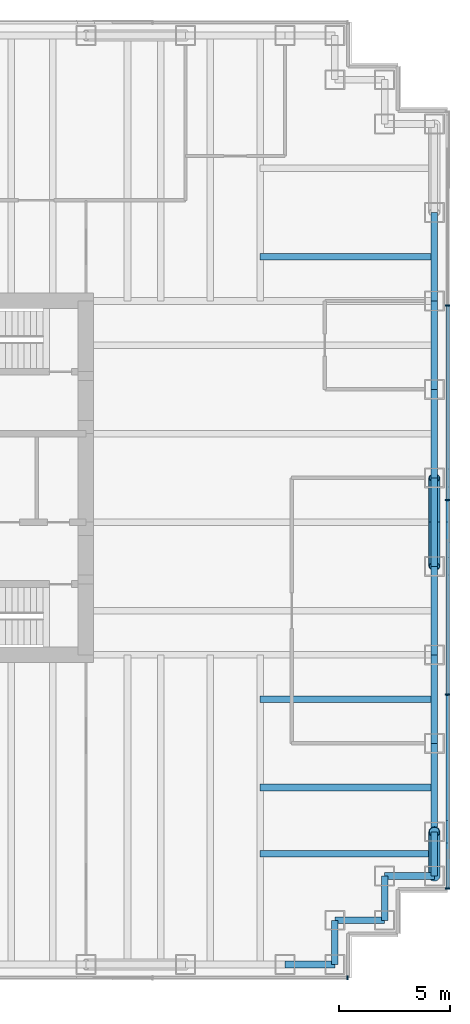
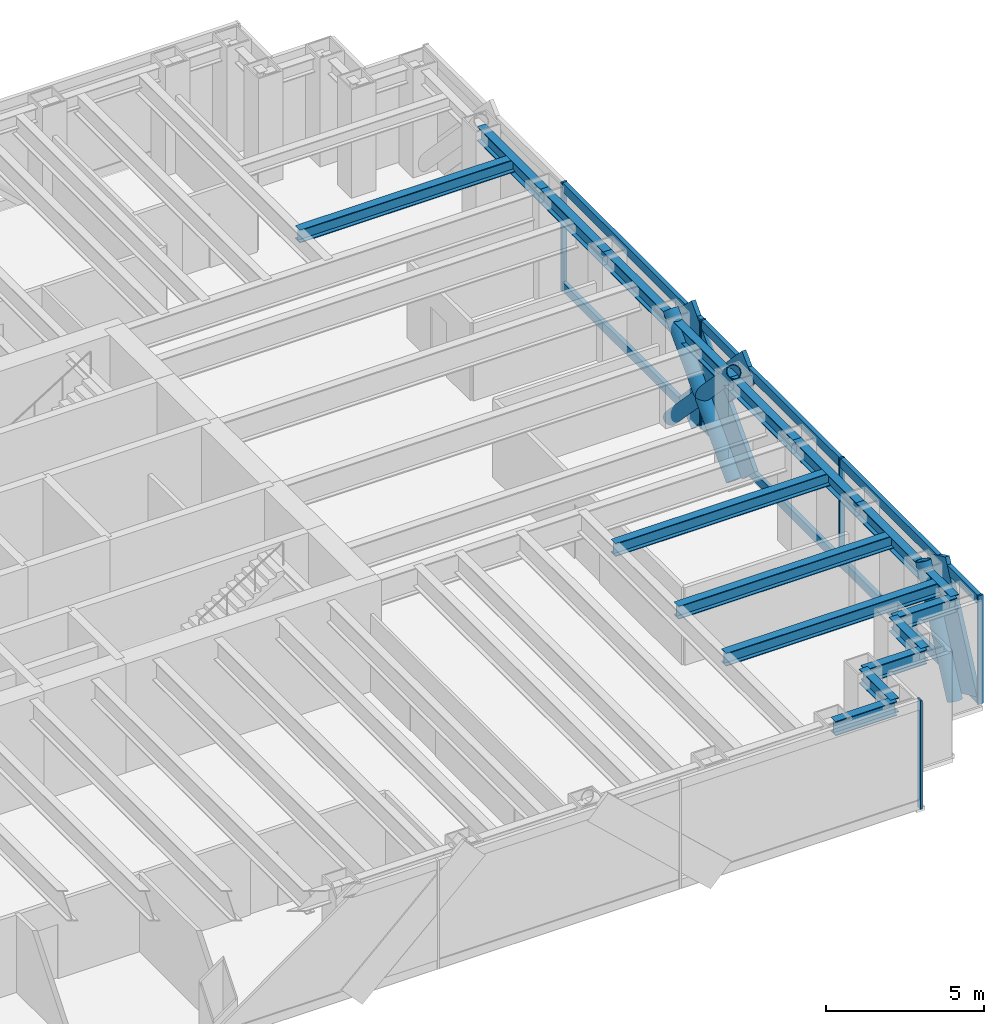
# One storey, part 8 of 15: 17 beams, 17 members, 2 elements without a shape of their own.
"""IFC4 building model written with IfcOpenShell, lengths in metres."""

from ifc_helpers import new_model, si_unit, direction, frame, origin, origin_2d, place, context, subcontext, project, spatial, rectangle, hollow_circle, i_section, extrude, material, material_profile, profile_set, type_object, element, aggregate, save


model = new_model("IFC4")

# Units and contexts
model_context = context("Model", 3, precision=1e-05, world=origin(), true_north=direction((0.0, 1.0)))
body_context = subcontext(model_context, "Body", "Model", "MODEL_VIEW")
ifc_project = project(units=[si_unit("LENGTHUNIT", "METRE"), si_unit("AREAUNIT", "SQUARE_METRE"), si_unit("VOLUMEUNIT", "CUBIC_METRE"), si_unit("PLANEANGLEUNIT", "RADIAN"), si_unit("MASSUNIT", "GRAM", prefix="KILO")], contexts=[model_context])

# Site, building, storey
site_placement = place(None, origin())
site = spatial("IfcSite", under=ifc_project, at=site_placement, CompositionType="ELEMENT")
building_placement = place(site_placement, origin())
building = spatial("IfcBuilding", under=site, at=building_placement, Name="Rheinbord Bourse Tower", CompositionType="ELEMENT")
storey_placement = place(building_placement, frame((0.0, 0.0, 313.10009765625)))
storey = spatial("IfcBuildingStorey", under=building, at=storey_placement, Name="L71", CompositionType="ELEMENT", Elevation=313.10009765625)

# Curtain wall, members
ifc_material_1 = material(Name="Dark glass and black aluminium", Category="aluminium")
curtain_wall_type = type_object("IfcCurtainWallType", Name="CW3 DARK GLASS CURTAIN WALL", PredefinedType="USERDEFINED", material=ifc_material_1)
curtain_wall_1_placement = place(storey_placement, origin())
curtain_wall_1 = element("IfcCurtainWall", 1, at=curtain_wall_1_placement, inside=storey, type_object=curtain_wall_type, Name="Curtain wall CW3 E L71", ObjectType="UNITISED CURTAIN WALL", PredefinedType="USERDEFINED")
ifc_material_2 = material(Name="Black anodised aluminium", Category="aluminium")
ifc_material_profile_1 = material_profile(ifc_material_2, rectangle(XDim=0.14990234375, YDim=1.10791015625, at=origin_2d()), Name="CW3 DIAGONAL MULLION 1108x150")
ifc_profile_set_1 = profile_set([ifc_material_profile_1], Name="Black anodised aluminium")
member_type_1 = type_object("IfcMemberType", Name="CW3 BLACK DIAGONAL MULLION", PredefinedType="USERDEFINED", material=ifc_profile_set_1)
member_1_placement = place(storey_placement, frame((70.35009765625, 6.0, 0.0), z_axis=(0.0, 0.429937654825, 0.902858578607), x_axis=(-1.0, 0.0, 0.0)))
member_1 = element("IfcMember", 2, at=member_1_placement, type_object=member_type_1, Name="CW3 diagonal mullion a", ObjectType="DIAGONAL MULLION", PredefinedType="USERDEFINED", context=body_context, shape_type="SweptSolid", body=[
    extrude(rectangle(XDim=0.14990234375, YDim=1.10791015625, at=origin_2d()), origin(), (0.0, 0.0, 1.0), 4.65185546875),
])
member_2_placement = place(storey_placement, frame((70.35009765625, 20.0, 0.0), z_axis=(0.0, 0.689659376744, 0.724133926887), x_axis=(-1.0, 0.0, 0.0)))
member_2 = element("IfcMember", 3, at=member_2_placement, type_object=member_type_1, Name="CW3 diagonal mullion c", ObjectType="DIAGONAL MULLION", PredefinedType="USERDEFINED", context=body_context, shape_type="SweptSolid", body=[
    extrude(rectangle(XDim=0.14990234375, YDim=1.10791015625, at=origin_2d()), origin(), (0.0, 0.0, 1.0), 5.800048828125),
])
member_3_placement = place(storey_placement, frame((70.35009765625, 24.0, 0.0), z_axis=(0.0, -0.689659376744, 0.724133926887), x_axis=(1.0, 0.0, 0.0)))
member_3 = element("IfcMember", 4, at=member_3_placement, type_object=member_type_1, Name="CW3 diagonal mullion d", ObjectType="DIAGONAL MULLION", PredefinedType="USERDEFINED", context=body_context, shape_type="SweptSolid", body=[
    extrude(rectangle(XDim=0.14990234375, YDim=1.10791015625, at=origin_2d()), origin(), (0.0, 0.0, 1.0), 5.800048828125),
])

# Curtain wall, member
curtain_wall_2_placement = place(storey_placement, origin())
curtain_wall_2 = element("IfcCurtainWall", 5, at=curtain_wall_2_placement, inside=storey, type_object=curtain_wall_type, Name="Curtain wall CW3 S L71", ObjectType="UNITISED CURTAIN WALL", PredefinedType="USERDEFINED")
ifc_material_3 = material(Name="Black anodised aluminium", Category="aluminium")
ifc_material_profile_2 = material_profile(ifc_material_3, rectangle(XDim=0.199951171875, YDim=0.06494140625, at=origin_2d()), Name="CW3 MULLION 65x200")
ifc_profile_set_2 = profile_set([ifc_material_profile_2], Name="Black anodised aluminium")
member_type_2 = type_object("IfcMemberType", Name="CW3 BLACK MULLION", PredefinedType="MULLION", material=ifc_profile_set_2)
member_4_placement = place(storey_placement, frame((65.8173828125, 1.39990234375, 0.0), z_axis=(0.0, 0.0, 1.0), x_axis=(0.0, 1.0, 0.0)))
member_4 = element("IfcMember", 6, at=member_4_placement, type_object=member_type_2, Name="CW3 mullion 8", PredefinedType="MULLION", context=body_context, shape_type="SweptSolid", body=[
    extrude(rectangle(XDim=0.199951171875, YDim=0.06494140625, at=origin_2d()), origin(), (0.0, 0.0, 1.0), 4.199951171875),
])
aggregate(curtain_wall_2, [member_4])

# Member
member_5_placement = place(storey_placement, frame((70.35009765625, 5.4326171875, 0.0), z_axis=(0.0, 0.0, 1.0), x_axis=(-1.0, 0.0, 0.0)))
member_5 = element("IfcMember", 7, at=member_5_placement, type_object=member_type_2, Name="CW3 mullion 1", PredefinedType="MULLION", context=body_context, shape_type="SweptSolid", body=[
    extrude(rectangle(XDim=0.199951171875, YDim=0.06494140625, at=origin_2d()), origin(), (0.0, 0.0, 1.0), 4.199951171875),
])

member_6_placement = place(storey_placement, frame((70.35009765625, 14.199951171875, 0.0), z_axis=(0.0, 0.0, 1.0), x_axis=(-1.0, 0.0, 0.0)))
member_6 = element("IfcMember", 8, at=member_6_placement, type_object=member_type_2, Name="CW3 mullion 2", PredefinedType="MULLION", context=body_context, shape_type="SweptSolid", body=[
    extrude(rectangle(XDim=0.199951171875, YDim=0.06494140625, at=origin_2d()), origin(), (0.0, 0.0, 1.0), 4.199951171875),
])

member_7_placement = place(storey_placement, frame((70.35009765625, 23.0, 0.0), z_axis=(0.0, 0.0, 1.0), x_axis=(-1.0, 0.0, 0.0)))
member_7 = element("IfcMember", 9, at=member_7_placement, type_object=member_type_2, Name="CW3 mullion 3", PredefinedType="MULLION", context=body_context, shape_type="SweptSolid", body=[
    extrude(rectangle(XDim=0.199951171875, YDim=0.06494140625, at=origin_2d()), origin(), (0.0, 0.0, 1.0), 4.199951171875),
])

member_8_placement = place(storey_placement, frame((70.35009765625, 31.800048828125, 0.0), z_axis=(0.0, 0.0, 1.0), x_axis=(-1.0, 0.0, 0.0)))
member_8 = element("IfcMember", 10, at=member_8_placement, type_object=member_type_2, Name="CW3 mullion 4", PredefinedType="MULLION", context=body_context, shape_type="SweptSolid", body=[
    extrude(rectangle(XDim=0.199951171875, YDim=0.06494140625, at=origin_2d()), origin(), (0.0, 0.0, 1.0), 4.199951171875),
])

ifc_material_4 = material(Name="Black anodised aluminium", Category="aluminium")
ifc_material_profile_3 = material_profile(ifc_material_4, rectangle(XDim=0.14990234375, YDim=0.35009765625, at=origin_2d()), Name="CW3 TRANSOM 350x150")
ifc_profile_set_3 = profile_set([ifc_material_profile_3], Name="Black anodised aluminium")
member_type_3 = type_object("IfcMemberType", Name="CW3 BLACK TRANSOM", PredefinedType="USERDEFINED", material=ifc_profile_set_3)
member_9_placement = place(storey_placement, frame((70.35009765625, 5.465087890625, 0.1748046875), z_axis=(0.0, 1.0, 0.0), x_axis=(-1.0, 0.0, 0.0)))
member_9 = element("IfcMember", 11, at=member_9_placement, type_object=member_type_3, Name="CW3 transom 1.1", ObjectType="TRANSOM", PredefinedType="USERDEFINED", context=body_context, shape_type="SweptSolid", body=[
    extrude(rectangle(XDim=0.14990234375, YDim=0.35009765625, at=origin_2d()), origin(), (0.0, 0.0, 1.0), 8.702392578125),
])

member_10_placement = place(storey_placement, frame((70.35009765625, 5.465087890625, 4.02490234375), z_axis=(0.0, 1.0, 0.0), x_axis=(-1.0, 0.0, 0.0)))
member_10 = element("IfcMember", 12, at=member_10_placement, type_object=member_type_3, Name="CW3 transom 1.2", ObjectType="TRANSOM", PredefinedType="USERDEFINED", context=body_context, shape_type="SweptSolid", body=[
    extrude(rectangle(XDim=0.14990234375, YDim=0.35009765625, at=origin_2d()), origin(), (0.0, 0.0, 1.0), 8.702392578125),
])

member_11_placement = place(storey_placement, frame((70.35009765625, 14.232421875, 0.1748046875), z_axis=(0.0, 1.0, 0.0), x_axis=(-1.0, 0.0, 0.0)))
member_11 = element("IfcMember", 13, at=member_11_placement, type_object=member_type_3, Name="CW3 transom 2.1", ObjectType="TRANSOM", PredefinedType="USERDEFINED", context=body_context, shape_type="SweptSolid", body=[
    extrude(rectangle(XDim=0.14990234375, YDim=0.35009765625, at=origin_2d()), origin(), (0.0, 0.0, 1.0), 8.735107421875),
])

member_12_placement = place(storey_placement, frame((70.35009765625, 14.232421875, 4.02490234375), z_axis=(0.0, 1.0, 0.0), x_axis=(-1.0, 0.0, 0.0)))
member_12 = element("IfcMember", 14, at=member_12_placement, type_object=member_type_3, Name="CW3 transom 2.2", ObjectType="TRANSOM", PredefinedType="USERDEFINED", context=body_context, shape_type="SweptSolid", body=[
    extrude(rectangle(XDim=0.14990234375, YDim=0.35009765625, at=origin_2d()), origin(), (0.0, 0.0, 1.0), 8.735107421875),
])

member_13_placement = place(storey_placement, frame((70.35009765625, 23.032470703125, 0.1748046875), z_axis=(0.0, 1.0, 0.0), x_axis=(-1.0, 0.0, 0.0)))
member_13 = element("IfcMember", 15, at=member_13_placement, type_object=member_type_3, Name="CW3 transom 3.1", ObjectType="TRANSOM", PredefinedType="USERDEFINED", context=body_context, shape_type="SweptSolid", body=[
    extrude(rectangle(XDim=0.14990234375, YDim=0.35009765625, at=origin_2d()), origin(), (0.0, 0.0, 1.0), 8.735107421875),
])

member_14_placement = place(storey_placement, frame((70.35009765625, 23.032470703125, 4.02490234375), z_axis=(0.0, 1.0, 0.0), x_axis=(-1.0, 0.0, 0.0)))
member_14 = element("IfcMember", 16, at=member_14_placement, type_object=member_type_3, Name="CW3 transom 3.2", ObjectType="TRANSOM", PredefinedType="USERDEFINED", context=body_context, shape_type="SweptSolid", body=[
    extrude(rectangle(XDim=0.14990234375, YDim=0.35009765625, at=origin_2d()), origin(), (0.0, 0.0, 1.0), 8.735107421875),
])

aggregate(curtain_wall_1, [member_5, member_6, member_7, member_8, member_9, member_10, member_11, member_12, member_13, member_14, member_1, member_2, member_3])

# Members
ifc_material_5 = material(Name="Steel S460", Category="steel")
ifc_material_profile_4 = material_profile(ifc_material_5, hollow_circle(Radius=0.25390625, WallThickness=0.030029296875, at=origin_2d()), Name="CHS 508x30")
ifc_profile_set_4 = profile_set([ifc_material_profile_4], Name="Steel S460")
member_type_4 = type_object("IfcMemberType", Name="MEGABRACE CHS 508x30", PredefinedType="BRACE", material=ifc_profile_set_4)
member_15_placement = place(storey_placement, frame((69.75, 6.0, 0.0), z_axis=(0.0, 0.429937654825, 0.902858578607), x_axis=(-1.0, 0.0, 0.0)))
element("IfcMember", 17, at=member_15_placement, inside=storey, type_object=member_type_4, Name="Megabrace E face line a L71", PredefinedType="BRACE", context=body_context, shape_type="SweptSolid", body=[
    extrude(hollow_circle(Radius=0.25390625, WallThickness=0.030029296875, at=origin_2d()), origin(), (0.0, 0.0, 1.0), 4.65185546875),
])
for number, where, z_axis, x_axis, name in (
    (18, (69.75, 20.0, 0.0), (0.0, 0.689659376744, 0.724133926887), (-1.0, 0.0, 0.0), "Megabrace E face line c L71"),
    (19, (69.75, 24.0, 0.0), (0.0, -0.689659376744, 0.724133926887), (1.0, 0.0, 0.0), "Megabrace E face line d L71"),
):
    element("IfcMember", number, at=place(storey_placement, frame(where, z_axis=z_axis, x_axis=x_axis)), inside=storey, type_object=member_type_4, Name=name, PredefinedType="BRACE", context=body_context, shape_type="SweptSolid", body=[
        extrude(hollow_circle(Radius=0.25390625, WallThickness=0.030029296875, at=origin_2d()), origin(), (0.0, 0.0, 1.0), 5.800048828125),
    ])

# Beams
ifc_material_6 = material(Name="Steel S460", Category="steel")
ifc_material_profile_5 = material_profile(ifc_material_6, i_section(OverallWidth=0.300048828125, OverallDepth=0.550048828125, WebThickness=0.014892578125, FlangeThickness=0.029052734375, at=origin_2d()), Name="HEB 550")
ifc_profile_set_5 = profile_set([ifc_material_profile_5], Name="Steel S460")
beam_type_1 = type_object("IfcBeamType", Name="SPANDREL HEB 550", PredefinedType="SPANDREL", material=ifc_profile_set_5)
beam_1_placement = place(storey_placement, frame((63.0, 2.0, 3.764892578125), z_axis=(1.0, 0.0, 0.0), x_axis=(0.0, 1.0, 0.0)))
element("IfcBeam", 20, at=beam_1_placement, inside=storey, type_object=beam_type_1, Name="Spandrel S-63-SE-E under L72", PredefinedType="SPANDREL", context=body_context, shape_type="SweptSolid", body=[
    extrude(i_section(OverallWidth=0.300048828125, OverallDepth=0.550048828125, WebThickness=0.014892578125, FlangeThickness=0.029052734375, at=origin_2d()), origin(), (0.0, 0.0, 1.0), 2.25),
])
beam_2_placement = place(storey_placement, frame((65.25, 2.0, 3.764892578125), z_axis=(0.0, 1.0, 0.0), x_axis=(-1.0, 0.0, 0.0)))
element("IfcBeam", 21, at=beam_2_placement, inside=storey, type_object=beam_type_1, Name="Spandrel SE-E-SE-D under L72", PredefinedType="SPANDREL", context=body_context, shape_type="SweptSolid", body=[
    extrude(i_section(OverallWidth=0.300048828125, OverallDepth=0.550048828125, WebThickness=0.014892578125, FlangeThickness=0.029052734375, at=origin_2d()), origin(), (0.0, 0.0, 1.0), 2.0),
])
beam_3_placement = place(storey_placement, frame((65.25, 4.0, 3.764892578125), z_axis=(1.0, 0.0, 0.0), x_axis=(0.0, 1.0, 0.0)))
element("IfcBeam", 22, at=beam_3_placement, inside=storey, type_object=beam_type_1, Name="Spandrel SE-D-SE-C under L72", PredefinedType="SPANDREL", context=body_context, shape_type="SweptSolid", body=[
    extrude(i_section(OverallWidth=0.300048828125, OverallDepth=0.550048828125, WebThickness=0.014892578125, FlangeThickness=0.029052734375, at=origin_2d()), origin(), (0.0, 0.0, 1.0), 2.25),
])
beam_4_placement = place(storey_placement, frame((67.5, 4.0, 3.764892578125), z_axis=(0.0, 1.0, 0.0), x_axis=(-1.0, 0.0, 0.0)))
element("IfcBeam", 23, at=beam_4_placement, inside=storey, type_object=beam_type_1, Name="Spandrel SE-C-SE-B under L72", PredefinedType="SPANDREL", context=body_context, shape_type="SweptSolid", body=[
    extrude(i_section(OverallWidth=0.300048828125, OverallDepth=0.550048828125, WebThickness=0.014892578125, FlangeThickness=0.029052734375, at=origin_2d()), origin(), (0.0, 0.0, 1.0), 2.0),
])
beam_5_placement = place(storey_placement, frame((67.5, 6.0, 3.764892578125), z_axis=(1.0, 0.0, 0.0), x_axis=(0.0, 1.0, 0.0)))
element("IfcBeam", 24, at=beam_5_placement, inside=storey, type_object=beam_type_1, Name="Spandrel SE-B-SE-A under L72", PredefinedType="SPANDREL", context=body_context, shape_type="SweptSolid", body=[
    extrude(i_section(OverallWidth=0.300048828125, OverallDepth=0.550048828125, WebThickness=0.014892578125, FlangeThickness=0.029052734375, at=origin_2d()), origin(), (0.0, 0.0, 1.0), 2.25),
])
beam_6_placement = place(storey_placement, frame((69.75, 6.0, 3.764892578125), z_axis=(0.0, 1.0, 0.0), x_axis=(-1.0, 0.0, 0.0)))
element("IfcBeam", 25, at=beam_6_placement, inside=storey, type_object=beam_type_1, Name="Spandrel SE-A-E-8 under L72", PredefinedType="SPANDREL", context=body_context, shape_type="SweptSolid", body=[
    extrude(i_section(OverallWidth=0.300048828125, OverallDepth=0.550048828125, WebThickness=0.014892578125, FlangeThickness=0.029052734375, at=origin_2d()), origin(), (0.0, 0.0, 1.0), 2.0),
])
for number, where, z_axis, x_axis, name in (
    (26, (69.75, 8.0, 3.764892578125), (0.0, 1.0, 0.0), (-1.0, 0.0, 0.0), "Spandrel E-8-E-12 under L72"),
    (27, (69.75, 12.0, 3.764892578125), (0.0, 1.0, 0.0), (-1.0, 0.0, 0.0), "Spandrel E-12-E-16 under L72"),
    (28, (69.75, 16.0, 3.764892578125), (0.0, 1.0, 0.0), (-1.0, 0.0, 0.0), "Spandrel E-16-E-20 under L72"),
    (29, (69.75, 20.0, 3.764892578125), (0.0, 1.0, 0.0), (-1.0, 0.0, 0.0), "Spandrel E-20-E-24 under L72"),
    (30, (69.75, 24.0, 3.764892578125), (0.0, 1.0, 0.0), (-1.0, 0.0, 0.0), "Spandrel E-24-E-28 under L72"),
    (31, (69.75, 28.0, 3.764892578125), (0.0, 1.0, 0.0), (-1.0, 0.0, 0.0), "Spandrel E-28-E-32 under L72"),
    (32, (69.75, 32.0, 3.764892578125), (0.0, 1.0, 0.0), (-1.0, 0.0, 0.0), "Spandrel E-32-E-36 under L72"),
):
    element("IfcBeam", number, at=place(storey_placement, frame(where, z_axis=z_axis, x_axis=x_axis)), inside=storey, type_object=beam_type_1, Name=name, PredefinedType="SPANDREL", context=body_context, shape_type="SweptSolid", body=[
        extrude(i_section(OverallWidth=0.300048828125, OverallDepth=0.550048828125, WebThickness=0.014892578125, FlangeThickness=0.029052734375, at=origin_2d()), origin(), (0.0, 0.0, 1.0), 4.0),
    ])
ifc_material_7 = material(Name="Steel S460", Category="steel")
ifc_material_profile_6 = material_profile(ifc_material_7, i_section(OverallWidth=0.300048828125, OverallDepth=0.5, WebThickness=0.014404296875, FlangeThickness=0.028076171875, at=origin_2d()), Name="HEB 500")
ifc_profile_set_6 = profile_set([ifc_material_profile_6], Name="Steel S460")
beam_type_2 = type_object("IfcBeamType", Name="TIE BEAM HEB 500", PredefinedType="JOIST", material=ifc_profile_set_6)
for number, where, z_axis, x_axis, name in (
    (33, (61.875, 7.0, 3.789794921875), (1.0, 0.0, 0.0), (0.0, 1.0, 0.0), "Tie east 7 L72"),
    (34, (61.875, 10.0, 3.789794921875), (1.0, 0.0, 0.0), (0.0, 1.0, 0.0), "Tie east 10 L72"),
    (35, (61.875, 14.0, 3.789794921875), (1.0, 0.0, 0.0), (0.0, 1.0, 0.0), "Tie east 14 L72"),
    (36, (61.875, 34.0, 3.789794921875), (1.0, 0.0, 0.0), (0.0, 1.0, 0.0), "Tie east 34 L72"),
):
    element("IfcBeam", number, at=place(storey_placement, frame(where, z_axis=z_axis, x_axis=x_axis)), inside=storey, type_object=beam_type_2, Name=name, PredefinedType="JOIST", context=body_context, shape_type="SweptSolid", body=[
        extrude(i_section(OverallWidth=0.300048828125, OverallDepth=0.5, WebThickness=0.014404296875, FlangeThickness=0.028076171875, at=origin_2d()), origin(), (0.0, 0.0, 1.0), 7.875),
    ])

save(model, "model.ifc")
